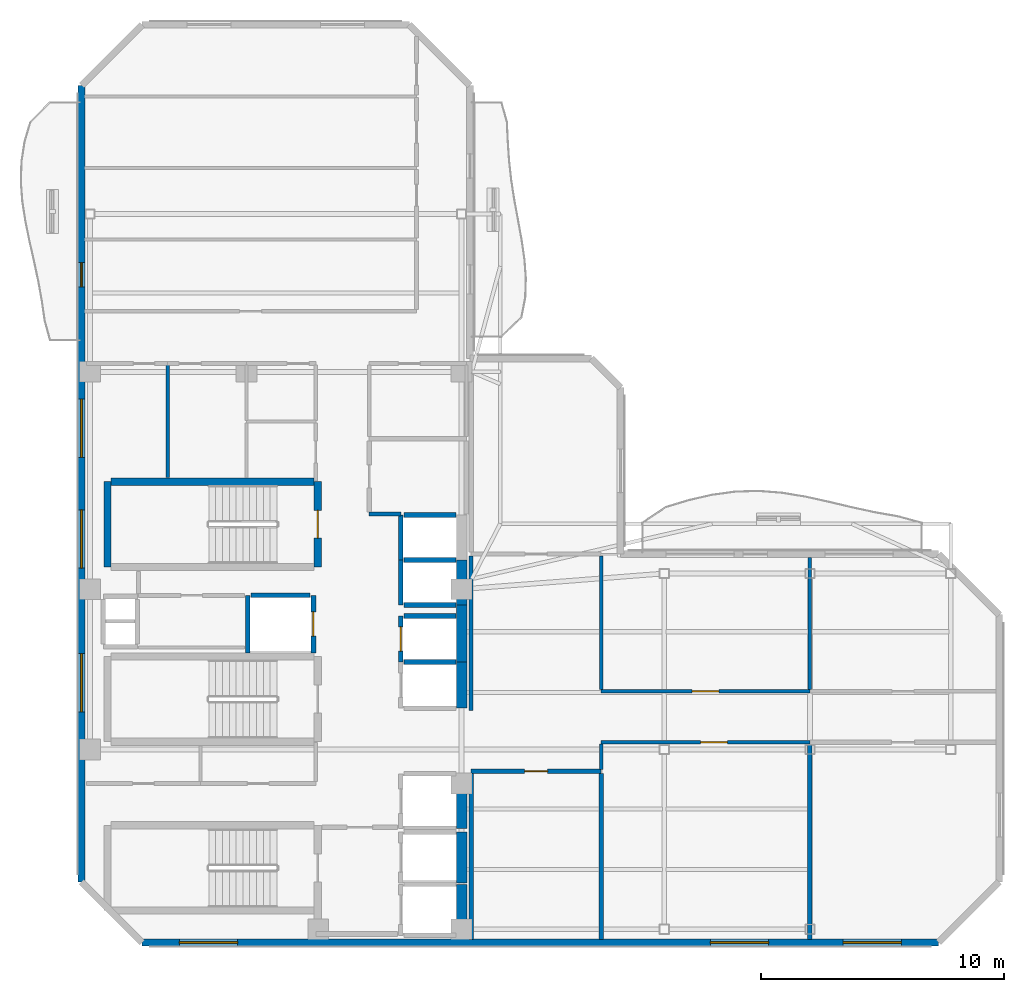
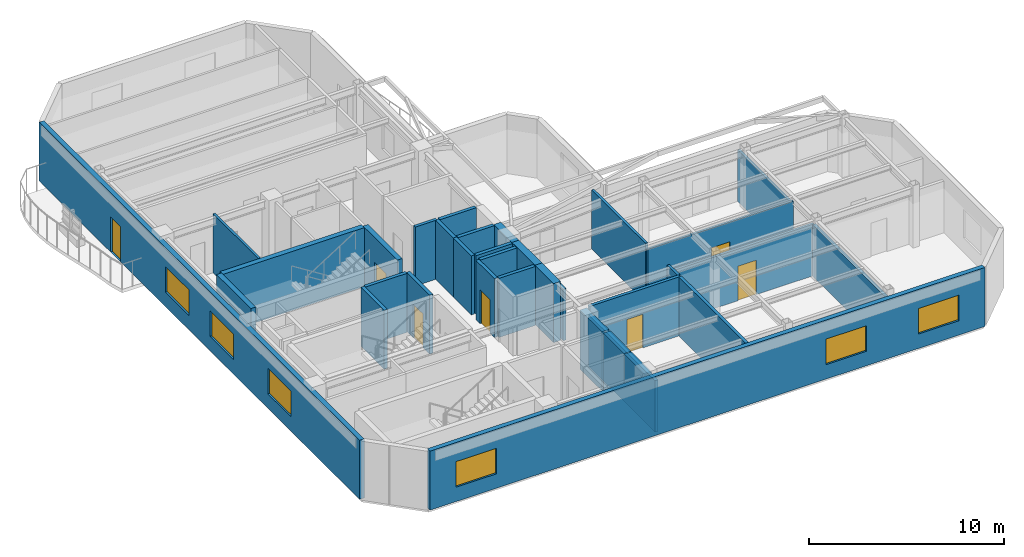
# One storey, part 3 of 8: 34 walls, 7 doors, 6 windows, 13 openings.
"""IFC4 building model written with IfcOpenShell, lengths in metres."""

import ifcopenshell
import ifcopenshell.guid

model = None  # the IFC model being written
_history = None  # IfcOwnerHistory: only IFC2X3 demands one
_inside = {}  # id of a spatial element -> (the spatial element, [elements in it])
_under = {}  # id of a project, library or spatial element -> (it, [spatial elements below it])
_declared = {}  # id of a project -> (the project, [libraries it declares])
_typed = {}  # id of a type object -> (the type object, [elements of that type])
_made_of = {}  # id of a material, layer set ... -> (it, [elements and type objects made of it])


def new_model(schema):
    """Start an empty IFC model of exactly this schema.

    Asked for "IFC4X3", IfcOpenShell would pick the latest addendum, in which some entities
    have other attributes; the version numbers below select the first issue.
    IFC2X3 requires an IfcOwnerHistory on every rooted entity: one is made here for all.
    """
    global model, _history
    if schema == "IFC4X3":
        model = ifcopenshell.file(schema_version=(4, 3, 0, 0))
    else:
        model = ifcopenshell.file(schema=schema)
    _inside.clear()
    _under.clear()
    _declared.clear()
    _typed.clear()
    _made_of.clear()
    _history = None
    if model.schema == "IFC2X3":
        org = make("IfcOrganization", Name="unknown")
        user = make(
            "IfcPersonAndOrganization",
            ThePerson=make("IfcPerson", FamilyName="unknown"),
            TheOrganization=org,
        )
        app = make(
            "IfcApplication",
            ApplicationDeveloper=org,
            Version="unknown",
            ApplicationFullName="unknown",
            ApplicationIdentifier="unknown",
        )
        _history = make(
            "IfcOwnerHistory",
            OwningUser=user,
            OwningApplication=app,
            ChangeAction="ADDED",
            CreationDate=0,
        )
    return model


def make(cls, **values):
    """One entity of the class cls with the attributes given. An attribute that is None is left unset."""
    return model.create_entity(
        cls, **{name: value for name, value in values.items() if value is not None}
    )


def rooted(cls, **values):
    """An entity with a GlobalId (a new one), such as an element, a storey or a relation."""
    return make(cls, GlobalId=ifcopenshell.guid.new(), OwnerHistory=_history, **values)


def si_unit(unit_type, name, prefix=None):
    """IfcSIUnit, for example si_unit("LENGTHUNIT", "METRE", prefix="MILLI")."""
    return make("IfcSIUnit", UnitType=unit_type, Prefix=prefix, Name=name)


def assignment(units):
    """IfcUnitAssignment: the units of a project."""
    return None if units is None else make("IfcUnitAssignment", Units=units)


def point(xyz):
    """IfcCartesianPoint."""
    return None if xyz is None else make("IfcCartesianPoint", Coordinates=xyz)


def direction(xyz):
    """IfcDirection."""
    return None if xyz is None else make("IfcDirection", DirectionRatios=xyz)


def frame(location, z_axis=None, x_axis=None):
    """IfcAxis2Placement3D, a coordinate frame: its origin and axes. An axis left out is left unset."""
    return make(
        "IfcAxis2Placement3D",
        Location=point(location),
        Axis=direction(z_axis),
        RefDirection=direction(x_axis),
    )


def frame_2d(location, x_axis=None):
    """IfcAxis2Placement2D, a coordinate frame in the plane: its origin and x axis."""
    return make(
        "IfcAxis2Placement2D", Location=point(location), RefDirection=direction(x_axis)
    )


def origin():
    """The frame at (0, 0, 0) with its axes left unset."""
    return frame((0.0, 0.0, 0.0))


def place(relative_to, where):
    """IfcLocalPlacement: puts the frame where relative to a parent placement (None: the world)."""
    return make(
        "IfcLocalPlacement", PlacementRelTo=relative_to, RelativePlacement=where
    )


def context(
    kind, dimensions, precision=None, world=None, true_north=None, identifier=None
):
    """IfcGeometricRepresentationContext, for example the 3D "Model" context."""
    return make(
        "IfcGeometricRepresentationContext",
        ContextIdentifier=identifier,
        ContextType=kind,
        CoordinateSpaceDimension=dimensions,
        Precision=precision,
        WorldCoordinateSystem=world,
        TrueNorth=true_north,
    )


def subcontext(parent, identifier, kind, view, scale=None):
    """IfcGeometricRepresentationSubContext, for example "Body" below "Model"."""
    return make(
        "IfcGeometricRepresentationSubContext",
        ContextIdentifier=identifier,
        ContextType=kind,
        ParentContext=parent,
        TargetScale=scale,
        TargetView=view,
    )


def project(units=None, contexts=None):
    """IfcProject with its units and contexts."""
    return rooted(
        "IfcProject",
        Name="project",
        RepresentationContexts=contexts,
        UnitsInContext=assignment(units),
    )


def spatial(cls, under=None, at=None, **own):
    """A site, building, storey or space (cls), placed at a placement, below another one or the project."""
    s = rooted(cls, ObjectPlacement=at, **own)
    if under is not None:
        _under.setdefault(under.id(), (under, []))[1].append(s)
    return s


def profile(cls, at=None, kind="AREA", **sizes):
    """A parametric profile (cls). Its sizes go by their IFC names, for example OverallWidth=200.0."""
    return make(cls, ProfileType=kind, Position=at, **sizes)


def rectangle(**sizes):
    """IfcRectangleProfileDef."""
    return profile("IfcRectangleProfileDef", **sizes)


def extrude(swept, where, along, depth):
    """IfcExtrudedAreaSolid: the profile swept, set in the frame where, extruded along a direction by depth."""
    return make(
        "IfcExtrudedAreaSolid",
        SweptArea=swept,
        Position=where,
        ExtrudedDirection=direction(along),
        Depth=depth,
    )


def shape(context_of_items, identifier, shape_type, items):
    """IfcShapeRepresentation: the items that make up one representation, for example the "Body"."""
    return make(
        "IfcShapeRepresentation",
        ContextOfItems=context_of_items,
        RepresentationIdentifier=identifier,
        RepresentationType=shape_type,
        Items=items,
    )


def material(Name=None, Category=None):
    """IfcMaterial."""
    return make("IfcMaterial", Name=Name, Category=Category)


def layer(
    of_material, thickness, ventilated=None, Name=None, Category=None, Priority=None
):
    """IfcMaterialLayer: one layer of a wall or slab, of a material (None: an air gap)."""
    return make(
        "IfcMaterialLayer",
        Material=of_material,
        LayerThickness=thickness,
        IsVentilated=ventilated,
        Name=Name,
        Category=Category,
        Priority=Priority,
    )


def layer_set(layers, Name=None):
    """IfcMaterialLayerSet."""
    return make("IfcMaterialLayerSet", MaterialLayers=layers, LayerSetName=Name)


def made_of(thing, what):
    """Note that an element or type object is made of a material, layer set ...; save() writes the relation."""
    if what is not None:
        _made_of.setdefault(what.id(), (what, []))[1].append(thing)
    return thing


def type_object(cls, material=None, **own):
    """A type object (cls), such as IfcWallType, which elements share."""
    return made_of(rooted(cls, **own), material)


def element(
    cls,
    number,
    at=None,
    inside=None,
    cuts=None,
    type_object=None,
    material=None,
    context=None,
    identifier="Body",
    shape_type=None,
    held_by="IfcProductDefinitionShape",
    body=None,
    shapes=None,
    **own,
):
    """One element of the class cls, such as IfcWall. Its Tag is "e" and its number.

    at: its placement. inside: the storey or other place that contains it. cuts: it is an
    opening in that element (IfcRelVoidsElement). A single representation is given by context,
    identifier, shape_type and body (its items); several are given by shapes. held_by: the class
    of the entity that holds the representations. save() writes the other relations.
    """
    e = rooted(cls, Tag="e%d" % number, ObjectPlacement=at, **own)
    if body is not None:
        shapes = [shape(context, identifier, shape_type, body)]
    if shapes is not None:
        e.Representation = make(held_by, Representations=shapes)
    if inside is not None:
        _inside.setdefault(inside.id(), (inside, []))[1].append(e)
    if cuts is not None:
        rooted(
            "IfcRelVoidsElement", RelatingBuildingElement=cuts, RelatedOpeningElement=e
        )
    if type_object is not None:
        _typed.setdefault(type_object.id(), (type_object, []))[1].append(e)
    return made_of(e, material)


def fill(opening, filler):
    """IfcRelFillsElement: the door or window that sits in an opening."""
    return rooted(
        "IfcRelFillsElement",
        RelatingOpeningElement=opening,
        RelatedBuildingElement=filler,
    )


def aggregate(whole, parts):
    """IfcRelAggregates: a whole, such as a stair, and the parts it consists of."""
    return rooted("IfcRelAggregates", RelatingObject=whole, RelatedObjects=parts)


def save(model, path):
    """Write the relations noted so far, then the file.

    IfcRelAggregates (storeys below a building ...), IfcRelContainedInSpatialStructure (elements
    in a storey), IfcRelDefinesByType, IfcRelAssociatesMaterial and IfcRelDeclares: one each for
    every whole, place, type object, material and project.
    """
    for whole, parts in _under.values():
        aggregate(whole, parts)
    for where, things in _inside.values():
        rooted(
            "IfcRelContainedInSpatialStructure",
            RelatedElements=things,
            RelatingStructure=where,
        )
    for kind, things in _typed.values():
        rooted("IfcRelDefinesByType", RelatedObjects=things, RelatingType=kind)
    for what, things in _made_of.values():
        rooted("IfcRelAssociatesMaterial", RelatedObjects=things, RelatingMaterial=what)
    for by, libraries in _declared.values():
        rooted("IfcRelDeclares", RelatingContext=by, RelatedDefinitions=libraries)
    model.write(path)


model = new_model("IFC4")

# Units and contexts
model_context = context("Model", 3, precision=1e-05, world=origin(), true_north=direction((0.0, 1.0)))
body_context = subcontext(model_context, "Body", "Model", "MODEL_VIEW")
ifc_project = project(units=[si_unit("LENGTHUNIT", "METRE"), si_unit("AREAUNIT", "SQUARE_METRE"), si_unit("VOLUMEUNIT", "CUBIC_METRE"), si_unit("PLANEANGLEUNIT", "RADIAN"), si_unit("MASSUNIT", "GRAM", prefix="KILO")], contexts=[model_context])

# Site, building, storey
site_placement = place(None, origin())
site = spatial("IfcSite", under=ifc_project, at=site_placement, CompositionType="ELEMENT")
building_placement = place(site_placement, origin())
building = spatial("IfcBuilding", under=site, at=building_placement, Name="Mawjaban Terraces University", CompositionType="ELEMENT")
storey_placement = place(building_placement, frame((0.0, 0.0, 263.800048828125)))
storey = spatial("IfcBuildingStorey", under=building, at=storey_placement, Name="L64", CompositionType="ELEMENT", Elevation=263.800048828125)

# Wall
ifc_material_1 = material(Name="Acoustic masonry blockwork", Category="masonry")
ifc_layer_1 = layer(ifc_material_1, 0.179931640625)
ifc_layer_set_1 = layer_set([ifc_layer_1], Name="Acoustic masonry blockwork")
wall_type_1 = type_object("IfcWallType", Name="AcousticStudioWall_180", PredefinedType="PARTITIONING", material=ifc_layer_set_1)
wall_1_placement = place(storey_placement, frame((33.85009765625, 17.64990234375, 0.0), z_axis=(0.0, 0.0, 1.0), x_axis=(1.0, 0.0, 0.0)))
element("IfcWall", 1, at=wall_1_placement, inside=storey, type_object=wall_type_1, Name="L64 Graduate Research Collaboration Studio Partition 10", PredefinedType="PARTITIONING", context=body_context, shape_type="SweptSolid", body=[
    extrude(rectangle(XDim=1.2998046875, YDim=0.179931640625, at=frame_2d((0.64990234375, 0.0))), origin(), (0.0, 0.0, 1.0), 3.68994140625),
])

# Wall, opening, door
wall_2_placement = place(storey_placement, frame((38.050048828125, 7.050048828125, 0.0), z_axis=(0.0, 0.0, 1.0), x_axis=(1.0, 0.0, 0.0)))
wall_2 = element("IfcWall", 2, at=wall_2_placement, inside=storey, type_object=wall_type_1, Name="L64 Upper Research Hub Concourse Partition 18", PredefinedType="PARTITIONING", context=body_context, shape_type="SweptSolid", body=[
    extrude(rectangle(XDim=5.349853515625, YDim=0.179931640625, at=frame_2d((2.6748046875, 0.0))), origin(), (0.0, 0.0, 1.0), 3.68994140625),
])
opening_1_placement = place(wall_2_placement, frame((2.199951171875, 0.0, 0.0)))
opening_1 = element("IfcOpeningElement", 3, at=opening_1_placement, cuts=wall_2, Name="Opening ID-095", PredefinedType="OPENING", context=body_context, shape_type="SweptSolid", body=[
    extrude(rectangle(XDim=0.949951171875, YDim=2.10009765625, at=frame_2d((0.47509765625, 1.050048828125))), frame((0.0, 0.099853515625, 0.0), z_axis=(0.0, -1.0, 0.0), x_axis=(1.0, 0.0, 0.0)), (0.0, 0.0, 1.0), 0.199951171875),
])
ifc_material_2 = material(Name="Powder-coated steel frame and solid acoustic timber leaf", Category="steel")
door_type_1 = type_object("IfcDoorType", Name="StudioDoor_950x2100", OperationType="NOTDEFINED", PredefinedType="DOOR", material=ifc_material_2)
door_1_placement = place(opening_1_placement, origin())
door_1 = element("IfcDoor", 4, at=door_1_placement, inside=storey, type_object=door_type_1, Name="L64 Design Studio 1 Door", OperationType="SINGLE_SWING_LEFT", OverallHeight=2.10009765625, OverallWidth=0.949951171875, PredefinedType="DOOR", context=body_context, shape_type="SweptSolid", body=[
    extrude(rectangle(XDim=0.949951171875, YDim=2.10009765625, at=frame_2d((0.47509765625, 1.050048828125))), frame((0.0, 0.02490234375, 0.0), z_axis=(0.0, -1.0, 0.0), x_axis=(1.0, 0.0, 0.0)), (0.0, 0.0, 1.0), 0.050048828125),
])
fill(opening_1, door_1)

# Walls
wall_3_placement = place(storey_placement, frame((38.050048828125, 6.965087890625, 0.0), z_axis=(0.0, 0.0, 1.0), x_axis=(0.0, -1.0, 0.0)))
element("IfcWall", 5, at=wall_3_placement, inside=storey, type_object=wall_type_1, Name="L64 Design Studio 1 Partition 40", PredefinedType="PARTITIONING", context=body_context, shape_type="SweptSolid", body=[
    extrude(rectangle(XDim=6.83203125, YDim=0.179931640625, at=frame_2d((3.416015625, 0.0))), origin(), (0.0, 0.0, 1.0), 3.220947265625),
])
wall_4_placement = place(storey_placement, frame((43.39990234375, 0.133056640625, 0.0), z_axis=(0.0, 0.0, 1.0), x_axis=(0.0, 1.0, 0.0)))
element("IfcWall", 6, at=wall_4_placement, inside=storey, type_object=wall_type_1, Name="L64 Design Studio 1 Partition 43", PredefinedType="PARTITIONING", context=body_context, shape_type="SweptSolid", body=[
    extrude(rectangle(XDim=6.83203125, YDim=0.179931640625, at=frame_2d((3.416015625, 0.0))), origin(), (0.0, 0.0, 1.0), 3.68994140625),
])
wall_5_placement = place(storey_placement, frame((52.0, 0.133056640625, 0.0), z_axis=(0.0, 0.0, 1.0), x_axis=(0.0, 1.0, 0.0)))
element("IfcWall", 7, at=wall_5_placement, inside=storey, type_object=wall_type_1, Name="L64 Computational Laboratory 2 Partition 46", PredefinedType="PARTITIONING", context=body_context, shape_type="SweptSolid", body=[
    extrude(rectangle(XDim=8.031982421875, YDim=0.179931640625, at=frame_2d((4.01611328125, 0.0))), origin(), (0.0, 0.0, 1.0), 3.220947265625),
])
ifc_material_3 = material(Name="Concrete C50/60", Category="concrete")
ifc_layer_2 = layer(ifc_material_3, 0.419921875)
ifc_layer_set_2 = layer_set([ifc_layer_2], Name="Concrete C50/60")
wall_type_2 = type_object("IfcWallType", Name="CoreShearWall_420", PredefinedType="SHEAR", material=ifc_layer_set_2)
wall_6_placement = place(storey_placement, frame((37.659912109375, 0.300048828125, 0.0), z_axis=(0.0, 0.0, 1.0), x_axis=(0.0, 1.0, 0.0)))
element("IfcWall", 8, at=wall_6_placement, inside=storey, type_object=wall_type_2, Name="L64 Lift FL-1 Hoistway Wall East", PredefinedType="SHEAR", context=body_context, shape_type="SweptSolid", body=[
    extrude(rectangle(XDim=2.099853515625, YDim=0.419921875, at=frame_2d((1.0498046875, 0.0))), origin(), (0.0, 0.0, 1.0), 3.68994140625),
])
wall_7_placement = place(storey_placement, frame((37.659912109375, 2.449951171875, 0.0), z_axis=(0.0, 0.0, 1.0), x_axis=(0.0, 1.0, 0.0)))
element("IfcWall", 9, at=wall_7_placement, inside=storey, type_object=wall_type_2, Name="L64 Lift FL-2 Hoistway Wall East", PredefinedType="SHEAR", context=body_context, shape_type="SweptSolid", body=[
    extrude(rectangle(XDim=2.10009765625, YDim=0.419921875, at=frame_2d((1.050048828125, 0.0))), origin(), (0.0, 0.0, 1.0), 3.68994140625),
])
wall_8_placement = place(storey_placement, frame((37.659912109375, 4.699951171875, 0.0), z_axis=(0.0, 0.0, 1.0), x_axis=(0.0, 1.0, 0.0)))
element("IfcWall", 10, at=wall_8_placement, inside=storey, type_object=wall_type_2, Name="L64 Lift SL-1 Hoistway Wall East", PredefinedType="SHEAR", context=body_context, shape_type="SweptSolid", body=[
    extrude(rectangle(XDim=2.25, YDim=0.419921875, at=frame_2d((1.125, 0.0))), origin(), (0.0, 0.0, 1.0), 3.68994140625),
])
wall_9_placement = place(storey_placement, frame((37.659912109375, 9.64990234375, 0.0), z_axis=(0.0, 0.0, 1.0), x_axis=(0.0, 1.0, 0.0)))
element("IfcWall", 11, at=wall_9_placement, inside=storey, type_object=wall_type_2, Name="L64 Lift PL-H1 Hoistway Wall East", PredefinedType="SHEAR", context=body_context, shape_type="SweptSolid", body=[
    extrude(rectangle(XDim=1.900146484375, YDim=0.419921875, at=frame_2d((0.9501953125, 0.0))), origin(), (0.0, 0.0, 1.0), 3.68994140625),
])
wall_10_placement = place(storey_placement, frame((37.659912109375, 11.550048828125, 0.0), z_axis=(0.0, 0.0, 1.0), x_axis=(0.0, 1.0, 0.0)))
element("IfcWall", 12, at=wall_10_placement, inside=storey, type_object=wall_type_2, Name="L64 Lift PL-H2 Hoistway Wall East", PredefinedType="SHEAR", context=body_context, shape_type="SweptSolid", body=[
    extrude(rectangle(XDim=2.349853515625, YDim=0.419921875, at=frame_2d((1.1748046875, 0.0))), origin(), (0.0, 0.0, 1.0), 3.68994140625),
])
wall_11_placement = place(storey_placement, frame((37.659912109375, 13.89990234375, 0.0), z_axis=(0.0, 0.0, 1.0), x_axis=(0.0, 1.0, 0.0)))
element("IfcWall", 13, at=wall_11_placement, inside=storey, type_object=wall_type_2, Name="L64 Lift OL-1 Hoistway Wall East", PredefinedType="SHEAR", context=body_context, shape_type="SweptSolid", body=[
    extrude(rectangle(XDim=1.85009765625, YDim=0.419921875, at=frame_2d((0.925048828125, 0.0))), origin(), (0.0, 0.0, 1.0), 3.68994140625),
])
ifc_material_4 = material(Name="Fire-rated gypsum board on steel stud", Category="steel")
ifc_layer_3 = layer(ifc_material_4, 0.159912109375)
ifc_layer_set_3 = layer_set([ifc_layer_3], Name="Fire-rated gypsum board on steel stud")
wall_type_3 = type_object("IfcWallType", Name="CorridorPartition_160", PredefinedType="PARTITIONING", material=ifc_layer_set_3)
wall_12_placement = place(storey_placement, frame((38.050048828125, 15.925048828125, 0.0), z_axis=(0.0, 0.0, 1.0), x_axis=(0.0, -1.0, 0.0)))
element("IfcWall", 14, at=wall_12_placement, inside=storey, type_object=wall_type_3, Name="L64 Upper Research Hub Concourse Partition 41", PredefinedType="PARTITIONING", context=body_context, shape_type="SweptSolid", body=[
    extrude(rectangle(XDim=6.375, YDim=0.159912109375, at=frame_2d((3.1875, 0.0))), origin(), (0.0, 0.0, 1.0), 3.220947265625),
])

# Wall, openings, windows
ifc_material_5 = material(Name="Insulated terracotta rainscreen on concrete backup C40/50", Category="masonry")
ifc_layer_4 = layer(ifc_material_5, 0.27490234375)
ifc_layer_set_4 = layer_set([ifc_layer_4], Name="Insulated terracotta rainscreen on concrete backup C40/50")
wall_type_4 = type_object("IfcWallType", Name="ExtTerracottaWall_275", PredefinedType="SOLIDWALL", material=ifc_layer_set_4)
wall_13_placement = place(storey_placement, frame((24.5, 0.0, 0.0), z_axis=(0.0, 0.0, 1.0), x_axis=(1.0, 0.0, 0.0)))
wall_13 = element("IfcWall", 15, at=wall_13_placement, inside=storey, type_object=wall_type_4, Name="L64 Exterior Terracotta Wall 1", PredefinedType="SOLIDWALL", context=body_context, shape_type="SweptSolid", body=[
    extrude(rectangle(XDim=32.800048828125, YDim=0.27490234375, at=frame_2d((16.39990234375, 0.0))), origin(), (0.0, 0.0, 1.0), 3.68994140625),
])
opening_2_placement = place(wall_13_placement, frame((1.532958984375, 0.0, 0.89990234375)))
opening_2 = element("IfcOpeningElement", 16, at=opening_2_placement, cuts=wall_13, Name="Opening W-05", PredefinedType="OPENING", context=body_context, shape_type="SweptSolid", body=[
    extrude(rectangle(XDim=2.39990234375, YDim=1.60009765625, at=frame_2d((1.199951171875, 0.800048828125))), frame((0.0, 0.1474609375, 0.0), z_axis=(0.0, -1.0, 0.0), x_axis=(1.0, 0.0, 0.0)), (0.0, 0.0, 1.0), 0.294921875),
])
opening_3_placement = place(wall_13_placement, frame((23.39990234375, 0.0, 0.89990234375)))
opening_3 = element("IfcOpeningElement", 17, at=opening_3_placement, cuts=wall_13, Name="Opening W-05", PredefinedType="OPENING", context=body_context, shape_type="SweptSolid", body=[
    extrude(rectangle(XDim=2.39990234375, YDim=1.60009765625, at=frame_2d((1.199951171875, 0.800048828125))), frame((0.0, 0.1474609375, 0.0), z_axis=(0.0, -1.0, 0.0), x_axis=(1.0, 0.0, 0.0)), (0.0, 0.0, 1.0), 0.294921875),
])
opening_4_placement = place(wall_13_placement, frame((28.866943359375, 0.0, 0.89990234375)))
opening_4 = element("IfcOpeningElement", 18, at=opening_4_placement, cuts=wall_13, Name="Opening W-05", PredefinedType="OPENING", context=body_context, shape_type="SweptSolid", body=[
    extrude(rectangle(XDim=2.39990234375, YDim=1.60009765625, at=frame_2d((1.199951171875, 0.800048828125))), frame((0.0, 0.1474609375, 0.0), z_axis=(0.0, -1.0, 0.0), x_axis=(1.0, 0.0, 0.0)), (0.0, 0.0, 1.0), 0.294921875),
])
ifc_material_6 = material(Name="Low-E solar-control double glazing in thermally broken aluminium frame", Category="aluminium")
window_type = type_object("IfcWindowType", Name="Win_2400x1600", PartitioningType="SINGLE_PANEL", PredefinedType="WINDOW", material=ifc_material_6)
window_1_placement = place(opening_2_placement, origin())
window_1 = element("IfcWindow", 19, at=window_1_placement, inside=storey, type_object=window_type, Name="L64 Facade Window 1.1", OverallHeight=1.60009765625, OverallWidth=2.39990234375, PartitioningType="SINGLE_PANEL", PredefinedType="WINDOW", context=body_context, shape_type="SweptSolid", body=[
    extrude(rectangle(XDim=2.39990234375, YDim=1.60009765625, at=frame_2d((1.199951171875, 0.800048828125))), frame((0.0, 0.030029296875, 0.0), z_axis=(0.0, -1.0, 0.0), x_axis=(1.0, 0.0, 0.0)), (0.0, 0.0, 1.0), 0.06005859375),
])
fill(opening_2, window_1)
window_2_placement = place(opening_3_placement, origin())
window_2 = element("IfcWindow", 20, at=window_2_placement, inside=storey, type_object=window_type, Name="L64 Facade Window 1.5", OverallHeight=1.60009765625, OverallWidth=2.39990234375, PartitioningType="SINGLE_PANEL", PredefinedType="WINDOW", context=body_context, shape_type="SweptSolid", body=[
    extrude(rectangle(XDim=2.39990234375, YDim=1.60009765625, at=frame_2d((1.199951171875, 0.800048828125))), frame((0.0, 0.030029296875, 0.0), z_axis=(0.0, -1.0, 0.0), x_axis=(1.0, 0.0, 0.0)), (0.0, 0.0, 1.0), 0.06005859375),
])
fill(opening_3, window_2)
window_3_placement = place(opening_4_placement, origin())
window_3 = element("IfcWindow", 21, at=window_3_placement, inside=storey, type_object=window_type, Name="L64 Facade Window 1.6", OverallHeight=1.60009765625, OverallWidth=2.39990234375, PartitioningType="SINGLE_PANEL", PredefinedType="WINDOW", context=body_context, shape_type="SweptSolid", body=[
    extrude(rectangle(XDim=2.39990234375, YDim=1.60009765625, at=frame_2d((1.199951171875, 0.800048828125))), frame((0.0, 0.030029296875, 0.0), z_axis=(0.0, -1.0, 0.0), x_axis=(1.0, 0.0, 0.0)), (0.0, 0.0, 1.0), 0.06005859375),
])
fill(opening_4, window_3)

# Wall, openings, door, windows
wall_14_placement = place(storey_placement, frame((22.0, 35.300048828125, 0.0), z_axis=(0.0, 0.0, 1.0), x_axis=(0.0, -1.0, 0.0)))
wall_14 = element("IfcWall", 22, at=wall_14_placement, inside=storey, type_object=wall_type_4, Name="L64 Exterior Terracotta Wall 13", PredefinedType="SOLIDWALL", context=body_context, shape_type="SweptSolid", body=[
    extrude(rectangle(XDim=32.800048828125, YDim=0.27490234375, at=frame_2d((16.39990234375, 0.0))), origin(), (0.0, 0.0, 1.0), 3.68994140625),
])
opening_5_placement = place(wall_14_placement, frame((7.300048828125, 0.0, 0.0)))
opening_5 = element("IfcOpeningElement", 23, at=opening_5_placement, cuts=wall_14, Name="Opening BD-100", PredefinedType="OPENING", context=body_context, shape_type="SweptSolid", body=[
    extrude(rectangle(XDim=1.0, YDim=2.199951171875, at=frame_2d((0.5, 1.10009765625))), frame((0.0, 0.1474609375, 0.0), z_axis=(0.0, -1.0, 0.0), x_axis=(1.0, 0.0, 0.0)), (0.0, 0.0, 1.0), 0.294921875),
])
opening_6_placement = place(wall_14_placement, frame((12.9169921875, 0.0, 0.89990234375)))
opening_6 = element("IfcOpeningElement", 24, at=opening_6_placement, cuts=wall_14, Name="Opening W-05", PredefinedType="OPENING", context=body_context, shape_type="SweptSolid", body=[
    extrude(rectangle(XDim=2.39990234375, YDim=1.60009765625, at=frame_2d((1.199951171875, 0.800048828125))), frame((0.0, 0.1474609375, 0.0), z_axis=(0.0, -1.0, 0.0), x_axis=(1.0, 0.0, 0.0)), (0.0, 0.0, 1.0), 0.294921875),
])
opening_7_placement = place(wall_14_placement, frame((17.48291015625, 0.0, 0.89990234375)))
opening_7 = element("IfcOpeningElement", 25, at=opening_7_placement, cuts=wall_14, Name="Opening W-05", PredefinedType="OPENING", context=body_context, shape_type="SweptSolid", body=[
    extrude(rectangle(XDim=2.39990234375, YDim=1.60009765625, at=frame_2d((1.199951171875, 0.800048828125))), frame((0.0, 0.1474609375, 0.0), z_axis=(0.0, -1.0, 0.0), x_axis=(1.0, 0.0, 0.0)), (0.0, 0.0, 1.0), 0.294921875),
])
opening_8_placement = place(wall_14_placement, frame((23.39990234375, 0.0, 0.89990234375)))
opening_8 = element("IfcOpeningElement", 26, at=opening_8_placement, cuts=wall_14, Name="Opening W-05", PredefinedType="OPENING", context=body_context, shape_type="SweptSolid", body=[
    extrude(rectangle(XDim=2.39990234375, YDim=1.60009765625, at=frame_2d((1.199951171875, 0.800048828125))), frame((0.0, 0.1474609375, 0.0), z_axis=(0.0, -1.0, 0.0), x_axis=(1.0, 0.0, 0.0)), (0.0, 0.0, 1.0), 0.294921875),
])
ifc_material_7 = material(Name="Thermally broken anodised aluminium and laminated safety glass", Category="aluminium")
door_type_2 = type_object("IfcDoorType", Name="BalconyGlazedDoor_1000x2200", OperationType="NOTDEFINED", PredefinedType="DOOR", material=ifc_material_7)
door_2_placement = place(opening_5_placement, origin())
door_2 = element("IfcDoor", 27, at=door_2_placement, inside=storey, type_object=door_type_2, Name="L64 Balcony Access Door west", OperationType="SINGLE_SWING_LEFT", OverallHeight=2.199951171875, OverallWidth=1.0, PredefinedType="DOOR", context=body_context, shape_type="SweptSolid", body=[
    extrude(rectangle(XDim=1.0, YDim=2.199951171875, at=frame_2d((0.5, 1.10009765625))), frame((0.0, 0.02490234375, 0.0), z_axis=(0.0, -1.0, 0.0), x_axis=(1.0, 0.0, 0.0)), (0.0, 0.0, 1.0), 0.050048828125),
])
fill(opening_5, door_2)
window_4_placement = place(opening_6_placement, origin())
window_4 = element("IfcWindow", 28, at=window_4_placement, inside=storey, type_object=window_type, Name="L64 Facade Window 13.3", OverallHeight=1.60009765625, OverallWidth=2.39990234375, PartitioningType="SINGLE_PANEL", PredefinedType="WINDOW", context=body_context, shape_type="SweptSolid", body=[
    extrude(rectangle(XDim=2.39990234375, YDim=1.60009765625, at=frame_2d((1.199951171875, 0.800048828125))), frame((0.0, 0.030029296875, 0.0), z_axis=(0.0, -1.0, 0.0), x_axis=(1.0, 0.0, 0.0)), (0.0, 0.0, 1.0), 0.06005859375),
])
fill(opening_6, window_4)
window_5_placement = place(opening_7_placement, origin())
window_5 = element("IfcWindow", 29, at=window_5_placement, inside=storey, type_object=window_type, Name="L64 Facade Window 13.4", OverallHeight=1.60009765625, OverallWidth=2.39990234375, PartitioningType="SINGLE_PANEL", PredefinedType="WINDOW", context=body_context, shape_type="SweptSolid", body=[
    extrude(rectangle(XDim=2.39990234375, YDim=1.60009765625, at=frame_2d((1.199951171875, 0.800048828125))), frame((0.0, 0.030029296875, 0.0), z_axis=(0.0, -1.0, 0.0), x_axis=(1.0, 0.0, 0.0)), (0.0, 0.0, 1.0), 0.06005859375),
])
fill(opening_7, window_5)
window_6_placement = place(opening_8_placement, origin())
window_6 = element("IfcWindow", 30, at=window_6_placement, inside=storey, type_object=window_type, Name="L64 Facade Window 13.5", OverallHeight=1.60009765625, OverallWidth=2.39990234375, PartitioningType="SINGLE_PANEL", PredefinedType="WINDOW", context=body_context, shape_type="SweptSolid", body=[
    extrude(rectangle(XDim=2.39990234375, YDim=1.60009765625, at=frame_2d((1.199951171875, 0.800048828125))), frame((0.0, 0.030029296875, 0.0), z_axis=(0.0, -1.0, 0.0), x_axis=(1.0, 0.0, 0.0)), (0.0, 0.0, 1.0), 0.06005859375),
])
fill(opening_8, window_6)

# Wall
ifc_material_8 = material(Name="Concrete C40/50", Category="concrete")
ifc_layer_5 = layer(ifc_material_8, 0.199951171875)
ifc_layer_set_5 = layer_set([ifc_layer_5], Name="Concrete C40/50")
wall_type_5 = type_object("IfcWallType", Name="FireLobbyWall_200", PredefinedType="SOLIDWALL", material=ifc_layer_set_5)
wall_15_placement = place(storey_placement, frame((37.419921875, 11.550048828125, 0.0), z_axis=(0.0, 0.0, 1.0), x_axis=(-1.0, 0.0, 0.0)))
element("IfcWall", 31, at=wall_15_placement, inside=storey, type_object=wall_type_5, Name="L64 Lift PL-H1 Hoistway Wall North", PredefinedType="SOLIDWALL", context=body_context, shape_type="SweptSolid", body=[
    extrude(rectangle(XDim=2.139892578125, YDim=0.199951171875, at=frame_2d((1.06982421875, 0.0))), origin(), (0.0, 0.0, 1.0), 3.68994140625),
])

# Wall, opening, door
wall_16_placement = place(storey_placement, frame((35.14990234375, 13.449951171875, 0.0), z_axis=(0.0, 0.0, 1.0), x_axis=(0.0, -1.0, 0.0)))
wall_16 = element("IfcWall", 32, at=wall_16_placement, inside=storey, type_object=wall_type_5, Name="L64 Lift PL-H2 Hoistway Wall West", PredefinedType="SOLIDWALL", context=body_context, shape_type="SweptSolid", body=[
    extrude(rectangle(XDim=1.89990234375, YDim=0.199951171875, at=frame_2d((0.949951171875, 0.0))), origin(), (0.0, 0.0, 1.0), 3.68994140625),
])
opening_9_placement = place(wall_16_placement, frame((0.449951171875, 0.0, 0.0)))
opening_9 = element("IfcOpeningElement", 33, at=opening_9_placement, cuts=wall_16, Name="Opening LD-PL-H2", PredefinedType="OPENING", context=body_context, shape_type="SweptSolid", body=[
    extrude(rectangle(XDim=1.0, YDim=2.10009765625, at=frame_2d((0.5, 1.050048828125))), frame((0.0, 0.10986328125, 0.0), z_axis=(0.0, -1.0, 0.0), x_axis=(1.0, 0.0, 0.0)), (0.0, 0.0, 1.0), 0.219970703125),
])
ifc_material_9 = material(Name="Powder-coated steel frame and fire-rated steel-faced leaf", Category="steel")
door_type_3 = type_object("IfcDoorType", Name="LiftLandingSliding_1000x2100", OperationType="NOTDEFINED", PredefinedType="DOOR", material=ifc_material_9)
door_3_placement = place(opening_9_placement, origin())
door_3 = element("IfcDoor", 34, at=door_3_placement, inside=storey, type_object=door_type_3, Name="L64 Lift PL-H2 Sliding Landing Door", OperationType="DOUBLE_DOOR_SLIDING", OverallHeight=2.10009765625, OverallWidth=1.0, PredefinedType="DOOR", context=body_context, shape_type="SweptSolid", body=[
    extrude(rectangle(XDim=1.0, YDim=2.10009765625, at=frame_2d((0.5, 1.050048828125))), frame((0.0, 0.02490234375, 0.0), z_axis=(0.0, -1.0, 0.0), x_axis=(1.0, 0.0, 0.0)), (0.0, 0.0, 1.0), 0.050048828125),
])
fill(opening_9, door_3)

# Walls
wall_17_placement = place(storey_placement, frame((37.419921875, 13.449951171875, 0.0), z_axis=(0.0, 0.0, 1.0), x_axis=(-1.0, 0.0, 0.0)))
element("IfcWall", 35, at=wall_17_placement, inside=storey, type_object=wall_type_5, Name="L64 Lift PL-H2 Hoistway Wall North", PredefinedType="SOLIDWALL", context=body_context, shape_type="SweptSolid", body=[
    extrude(rectangle(XDim=2.139892578125, YDim=0.199951171875, at=frame_2d((1.06982421875, 0.0))), origin(), (0.0, 0.0, 1.0), 3.68994140625),
])
wall_18_placement = place(storey_placement, frame((28.85009765625, 14.300048828125, 0.0), z_axis=(0.0, 0.0, 1.0), x_axis=(0.0, -1.0, 0.0)))
element("IfcWall", 36, at=wall_18_placement, inside=storey, type_object=wall_type_5, Name="L64 Lift PL-H3 Hoistway Wall West", PredefinedType="SOLIDWALL", context=body_context, shape_type="SweptSolid", body=[
    extrude(rectangle(XDim=2.3701171875, YDim=0.199951171875, at=frame_2d((1.18505859375, 0.0))), origin(), (0.0, 0.0, 1.0), 3.68994140625),
])

# Wall, opening, door
wall_19_placement = place(storey_placement, frame((31.550048828125, 11.929931640625, 0.0), z_axis=(0.0, 0.0, 1.0), x_axis=(0.0, 1.0, 0.0)))
wall_19 = element("IfcWall", 37, at=wall_19_placement, inside=storey, type_object=wall_type_5, Name="L64 Lift PL-H3 Hoistway Wall East", PredefinedType="SOLIDWALL", context=body_context, shape_type="SweptSolid", body=[
    extrude(rectangle(XDim=2.3701171875, YDim=0.199951171875, at=frame_2d((1.18505859375, 0.0))), origin(), (0.0, 0.0, 1.0), 3.68994140625),
])
opening_10_placement = place(wall_19_placement, frame((0.68505859375, 0.0, 0.0)))
opening_10 = element("IfcOpeningElement", 38, at=opening_10_placement, cuts=wall_19, Name="Opening LD-PL-H3", PredefinedType="OPENING", context=body_context, shape_type="SweptSolid", body=[
    extrude(rectangle(XDim=1.0, YDim=2.10009765625, at=frame_2d((0.5, 1.050048828125))), frame((0.0, 0.10986328125, 0.0), z_axis=(0.0, -1.0, 0.0), x_axis=(1.0, 0.0, 0.0)), (0.0, 0.0, 1.0), 0.219970703125),
])
door_4_placement = place(opening_10_placement, origin())
door_4 = element("IfcDoor", 39, at=door_4_placement, inside=storey, type_object=door_type_3, Name="L64 Lift PL-H3 Sliding Landing Door", OperationType="DOUBLE_DOOR_SLIDING", OverallHeight=2.10009765625, OverallWidth=1.0, PredefinedType="DOOR", context=body_context, shape_type="SweptSolid", body=[
    extrude(rectangle(XDim=1.0, YDim=2.10009765625, at=frame_2d((0.5, 1.050048828125))), frame((0.0, 0.02490234375, 0.0), z_axis=(0.0, -1.0, 0.0), x_axis=(1.0, 0.0, 0.0)), (0.0, 0.0, 1.0), 0.050048828125),
])
fill(opening_10, door_4)

# Walls
wall_20_placement = place(storey_placement, frame((31.419921875, 14.300048828125, 0.0), z_axis=(0.0, 0.0, 1.0), x_axis=(-1.0, 0.0, 0.0)))
element("IfcWall", 40, at=wall_20_placement, inside=storey, type_object=wall_type_5, Name="L64 Lift PL-H3 Hoistway Wall North", PredefinedType="SOLIDWALL", context=body_context, shape_type="SweptSolid", body=[
    extrude(rectangle(XDim=2.43994140625, YDim=0.199951171875, at=frame_2d((1.219970703125, 0.0))), origin(), (0.0, 0.0, 1.0), 3.68994140625),
])
wall_21_placement = place(storey_placement, frame((35.14990234375, 15.75, 0.0), z_axis=(0.0, 0.0, 1.0), x_axis=(0.0, -1.0, 0.0)))
element("IfcWall", 41, at=wall_21_placement, inside=storey, type_object=wall_type_5, Name="L64 Lift OL-1 Hoistway Wall West", PredefinedType="SOLIDWALL", context=body_context, shape_type="SweptSolid", body=[
    extrude(rectangle(XDim=1.85009765625, YDim=0.199951171875, at=frame_2d((0.925048828125, 0.0))), origin(), (0.0, 0.0, 1.0), 3.68994140625),
])
for number, where, z_axis, x_axis, name in (
    (42, (35.280029296875, 13.89990234375, 0.0), (0.0, 0.0, 1.0), (1.0, 0.0, 0.0), "L64 Lift OL-1 Hoistway Wall South"),
    (43, (37.419921875, 15.75, 0.0), (0.0, 0.0, 1.0), (-1.0, 0.0, 0.0), "L64 Lift OL-1 Hoistway Wall North"),
):
    element("IfcWall", number, at=place(storey_placement, frame(where, z_axis=z_axis, x_axis=x_axis)), inside=storey, type_object=wall_type_5, Name=name, PredefinedType="SOLIDWALL", context=body_context, shape_type="SweptSolid", body=[
        extrude(rectangle(XDim=2.139892578125, YDim=0.199951171875, at=frame_2d((1.06982421875, 0.0))), origin(), (0.0, 0.0, 1.0), 3.68994140625),
    ])
wall_22_placement = place(storey_placement, frame((35.14990234375, 17.60009765625, 0.0), z_axis=(0.0, 0.0, 1.0), x_axis=(0.0, -1.0, 0.0)))
element("IfcWall", 44, at=wall_22_placement, inside=storey, type_object=wall_type_5, Name="L64 Lift OL-2 Hoistway Wall West", PredefinedType="SOLIDWALL", context=body_context, shape_type="SweptSolid", body=[
    extrude(rectangle(XDim=1.85009765625, YDim=0.199951171875, at=frame_2d((0.925048828125, 0.0))), origin(), (0.0, 0.0, 1.0), 3.68994140625),
])
wall_23_placement = place(storey_placement, frame((37.419921875, 17.60009765625, 0.0), z_axis=(0.0, 0.0, 1.0), x_axis=(-1.0, 0.0, 0.0)))
element("IfcWall", 45, at=wall_23_placement, inside=storey, type_object=wall_type_5, Name="L64 Lift OL-2 Hoistway Wall North", PredefinedType="SOLIDWALL", context=body_context, shape_type="SweptSolid", body=[
    extrude(rectangle(XDim=2.139892578125, YDim=0.199951171875, at=frame_2d((1.06982421875, 0.0))), origin(), (0.0, 0.0, 1.0), 3.68994140625),
])

# Wall, opening, door
ifc_material_10 = material(Name="Moisture-resistant gypsum board on steel stud", Category="steel")
ifc_layer_6 = layer(ifc_material_10, 0.14501953125)
ifc_layer_set_6 = layer_set([ifc_layer_6], Name="Moisture-resistant gypsum board on steel stud")
wall_type_6 = type_object("IfcWallType", Name="LabPartition_145", PredefinedType="PARTITIONING", material=ifc_layer_set_6)
wall_24_placement = place(storey_placement, frame((43.39990234375, 8.25, 0.0), z_axis=(0.0, 0.0, 1.0), x_axis=(1.0, 0.0, 0.0)))
wall_24 = element("IfcWall", 46, at=wall_24_placement, inside=storey, type_object=wall_type_6, Name="L64 Upper East Research Corridor Partition 19", PredefinedType="PARTITIONING", context=body_context, shape_type="SweptSolid", body=[
    extrude(rectangle(XDim=8.60009765625, YDim=0.14501953125, at=frame_2d((4.300048828125, 0.0))), origin(), (0.0, 0.0, 1.0), 3.220947265625),
])
opening_11_placement = place(wall_24_placement, frame((4.10009765625, 0.0, 0.0)))
opening_11 = element("IfcOpeningElement", 47, at=opening_11_placement, cuts=wall_24, Name="Opening ID-110", PredefinedType="OPENING", context=body_context, shape_type="SweptSolid", body=[
    extrude(rectangle(XDim=1.10009765625, YDim=2.14990234375, at=frame_2d((0.550048828125, 1.074951171875))), frame((0.0, 0.08251953125, 0.0), z_axis=(0.0, -1.0, 0.0), x_axis=(1.0, 0.0, 0.0)), (0.0, 0.0, 1.0), 0.1650390625),
])
door_type_4 = type_object("IfcDoorType", Name="LabDoor_1100x2150", OperationType="NOTDEFINED", PredefinedType="DOOR", material=ifc_material_2)
door_5_placement = place(opening_11_placement, origin())
door_5 = element("IfcDoor", 48, at=door_5_placement, inside=storey, type_object=door_type_4, Name="L64 Computational Laboratory 2 Door", OperationType="SINGLE_SWING_RIGHT", OverallHeight=2.14990234375, OverallWidth=1.10009765625, PredefinedType="DOOR", context=body_context, shape_type="SweptSolid", body=[
    extrude(rectangle(XDim=1.10009765625, YDim=2.14990234375, at=frame_2d((0.550048828125, 1.074951171875))), frame((0.0, 0.02490234375, 0.0), z_axis=(0.0, -1.0, 0.0), x_axis=(1.0, 0.0, 0.0)), (0.0, 0.0, 1.0), 0.050048828125),
])
fill(opening_11, door_5)

wall_25_placement = place(storey_placement, frame((52.0, 10.35009765625, 0.0), z_axis=(0.0, 0.0, 1.0), x_axis=(-1.0, 0.0, 0.0)))
wall_25 = element("IfcWall", 49, at=wall_25_placement, inside=storey, type_object=wall_type_6, Name="L64 Upper East Research Corridor Partition 22", PredefinedType="PARTITIONING", context=body_context, shape_type="SweptSolid", body=[
    extrude(rectangle(XDim=8.60009765625, YDim=0.14501953125, at=frame_2d((4.300048828125, 0.0))), origin(), (0.0, 0.0, 1.0), 3.3720703125),
])
opening_12_placement = place(wall_25_placement, frame((3.75, 0.0, 0.0)))
opening_12 = element("IfcOpeningElement", 50, at=opening_12_placement, cuts=wall_25, Name="Opening ID-110", PredefinedType="OPENING", context=body_context, shape_type="SweptSolid", body=[
    extrude(rectangle(XDim=1.10009765625, YDim=2.14990234375, at=frame_2d((0.550048828125, 1.074951171875))), frame((0.0, 0.08251953125, 0.0), z_axis=(0.0, -1.0, 0.0), x_axis=(1.0, 0.0, 0.0)), (0.0, 0.0, 1.0), 0.1650390625),
])
door_6_placement = place(opening_12_placement, origin())
door_6 = element("IfcDoor", 51, at=door_6_placement, inside=storey, type_object=door_type_4, Name="L64 Teaching Laboratory 3 Door", OperationType="SINGLE_SWING_LEFT", OverallHeight=2.14990234375, OverallWidth=1.10009765625, PredefinedType="DOOR", context=body_context, shape_type="SweptSolid", body=[
    extrude(rectangle(XDim=1.10009765625, YDim=2.14990234375, at=frame_2d((0.550048828125, 1.074951171875))), frame((0.0, 0.02490234375, 0.0), z_axis=(0.0, -1.0, 0.0), x_axis=(1.0, 0.0, 0.0)), (0.0, 0.0, 1.0), 0.050048828125),
])
fill(opening_12, door_6)

# Walls
wall_26_placement = place(storey_placement, frame((43.39990234375, 7.135009765625, 0.0), z_axis=(0.0, 0.0, 1.0), x_axis=(0.0, 1.0, 0.0)))
element("IfcWall", 52, at=wall_26_placement, inside=storey, type_object=wall_type_6, Name="L64 Upper Research Hub Concourse Partition 44", PredefinedType="PARTITIONING", context=body_context, shape_type="SweptSolid", body=[
    extrude(rectangle(XDim=1.046875, YDim=0.14501953125, at=frame_2d((0.5234375, 0.0))), origin(), (0.0, 0.0, 1.0), 3.68994140625),
])
wall_27_placement = place(storey_placement, frame((43.39990234375, 10.41796875, 0.0), z_axis=(0.0, 0.0, 1.0), x_axis=(0.0, 1.0, 0.0)))
element("IfcWall", 53, at=wall_27_placement, inside=storey, type_object=wall_type_6, Name="L64 Upper Research Hub Concourse Partition 45", PredefinedType="PARTITIONING", context=body_context, shape_type="SweptSolid", body=[
    extrude(rectangle(XDim=5.507080078125, YDim=0.14501953125, at=frame_2d((2.75341796875, 0.0))), origin(), (0.0, 0.0, 1.0), 3.68994140625),
])
wall_28_placement = place(storey_placement, frame((52.0, 10.425048828125, 0.0), z_axis=(0.0, 0.0, 1.0), x_axis=(0.0, 1.0, 0.0)))
element("IfcWall", 54, at=wall_28_placement, inside=storey, type_object=wall_type_6, Name="L64 Teaching Laboratory 3 Partition 47", PredefinedType="PARTITIONING", context=body_context, shape_type="SweptSolid", body=[
    extrude(rectangle(XDim=5.44189453125, YDim=0.14501953125, at=frame_2d((2.720947265625, 0.0))), origin(), (0.0, 0.0, 1.0), 3.220947265625),
])
ifc_material_11 = material(Name="Concrete C60/75", Category="concrete")
ifc_layer_7 = layer(ifc_material_11, 0.300048828125)
ifc_layer_set_7 = layer_set([ifc_layer_7], Name="Concrete C60/75")
wall_type_7 = type_object("IfcWallType", Name="StairShaftWall_300", PredefinedType="SHEAR", material=ifc_layer_set_7)
wall_29_placement = place(storey_placement, frame((31.580078125, 18.97998046875, 0.0), z_axis=(0.0, 0.0, 1.0), x_axis=(-1.0, 0.0, 0.0)))
element("IfcWall", 55, at=wall_29_placement, inside=storey, type_object=wall_type_7, Name="L64 ST-2 Stair Shaft Wall 1", PredefinedType="SHEAR", context=body_context, shape_type="SweptSolid", body=[
    extrude(rectangle(XDim=8.360107421875, YDim=0.300048828125, at=frame_2d((4.18017578125, 0.0))), origin(), (0.0, 0.0, 1.0), 3.68994140625),
])
wall_30_placement = place(storey_placement, frame((23.070068359375, 18.97998046875, 0.0), z_axis=(0.0, 0.0, 1.0), x_axis=(0.0, -1.0, 0.0)))
element("IfcWall", 56, at=wall_30_placement, inside=storey, type_object=wall_type_7, Name="L64 ST-2 Stair Shaft Wall 2", PredefinedType="SHEAR", context=body_context, shape_type="SweptSolid", body=[
    extrude(rectangle(XDim=3.510009765625, YDim=0.300048828125, at=frame_2d((1.7548828125, 0.0))), origin(), (0.0, 0.0, 1.0), 3.68994140625),
])

# Wall, opening, door
wall_31_placement = place(storey_placement, frame((31.72998046875, 15.469970703125, 0.0), z_axis=(0.0, 0.0, 1.0), x_axis=(0.0, 1.0, 0.0)))
wall_31 = element("IfcWall", 57, at=wall_31_placement, inside=storey, type_object=wall_type_7, Name="L64 ST-2 Stair Shaft Wall 4", PredefinedType="SHEAR", context=body_context, shape_type="SweptSolid", body=[
    extrude(rectangle(XDim=3.510009765625, YDim=0.300048828125, at=frame_2d((1.7548828125, 0.0))), origin(), (0.0, 0.0, 1.0), 3.68994140625),
])
opening_13_placement = place(wall_31_placement, frame((1.179931640625, 0.0, 0.0)))
opening_13 = element("IfcOpeningElement", 58, at=opening_13_placement, cuts=wall_31, Name="Opening FD-115", PredefinedType="OPENING", context=body_context, shape_type="SweptSolid", body=[
    extrude(rectangle(XDim=1.14990234375, YDim=2.14990234375, at=frame_2d((0.574951171875, 1.074951171875))), frame((0.0, 0.159912109375, 0.0), z_axis=(0.0, -1.0, 0.0), x_axis=(1.0, 0.0, 0.0)), (0.0, 0.0, 1.0), 0.320068359375),
])
door_type_5 = type_object("IfcDoorType", Name="FireStairDoor_1150x2150", OperationType="NOTDEFINED", PredefinedType="DOOR", material=ifc_material_9)
door_7_placement = place(opening_13_placement, origin())
door_7 = element("IfcDoor", 59, at=door_7_placement, inside=storey, type_object=door_type_5, Name="L64 ST-2 Pressurised Stair Fire Door", OperationType="SINGLE_SWING_LEFT", OverallHeight=2.14990234375, OverallWidth=1.14990234375, PredefinedType="DOOR", context=body_context, shape_type="SweptSolid", body=[
    extrude(rectangle(XDim=1.14990234375, YDim=2.14990234375, at=frame_2d((0.574951171875, 1.074951171875))), frame((0.0, 0.02490234375, 0.0), z_axis=(0.0, -1.0, 0.0), x_axis=(1.0, 0.0, 0.0)), (0.0, 0.0, 1.0), 0.050048828125),
])
fill(opening_13, door_7)

# Wall
ifc_material_12 = material(Name="Cement-board wet-room partition", Category="masonry")
ifc_layer_8 = layer(ifc_material_12, 0.135009765625)
ifc_layer_set_8 = layer_set([ifc_layer_8], Name="Cement-board wet-room partition")
wall_type_8 = type_object("IfcWallType", Name="WetRoomPartition_135", PredefinedType="PARTITIONING", material=ifc_layer_set_8)
wall_32_placement = place(storey_placement, frame((25.550048828125, 19.159912109375, 0.0), z_axis=(0.0, 0.0, 1.0), x_axis=(0.0, 1.0, 0.0)))
element("IfcWall", 60, at=wall_32_placement, inside=storey, type_object=wall_type_8, Name="L64 Female Toilet Partition 25", PredefinedType="PARTITIONING", context=body_context, shape_type="SweptSolid", body=[
    extrude(rectangle(XDim=4.614990234375, YDim=0.135009765625, at=frame_2d((2.3076171875, 0.0))), origin(), (0.0, 0.0, 1.0), 3.68994140625),
])

save(model, "model.ifc")
